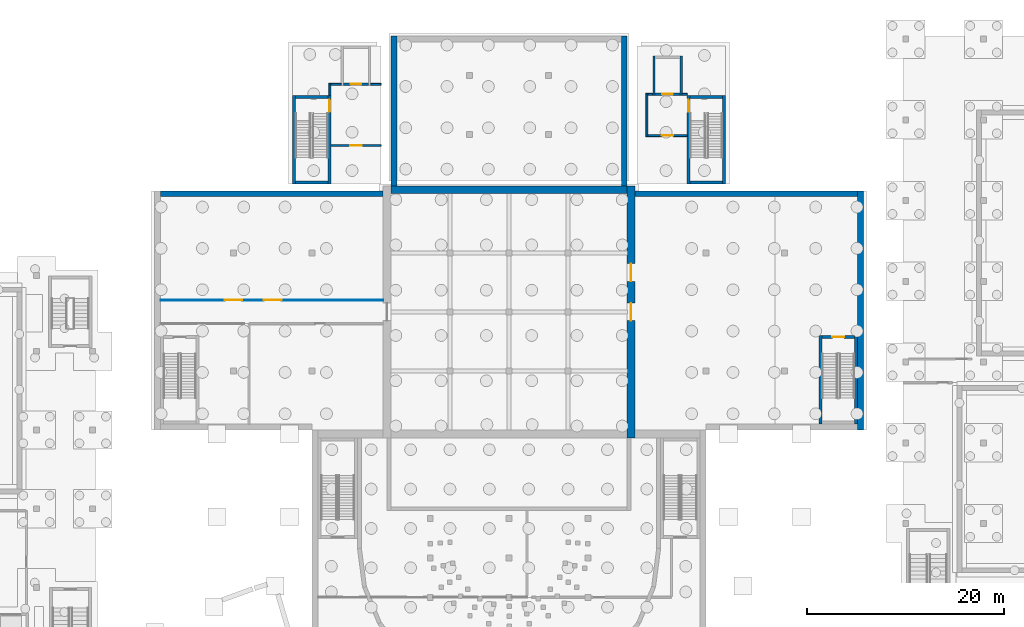
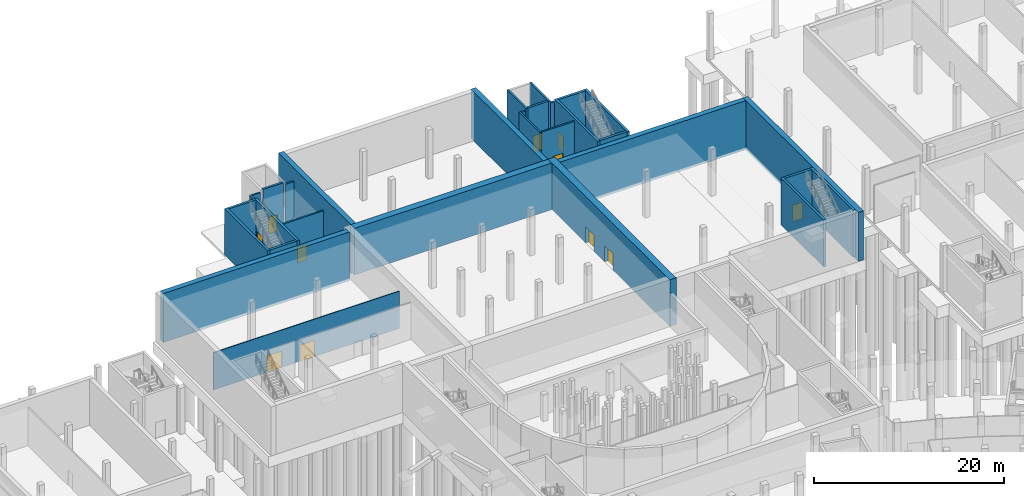
# One storey, part 27 of 66: 31 walls, 11 doors, 11 openings.
"""IFC4 building model written with IfcOpenShell, lengths in metres."""

import ifcopenshell
import ifcopenshell.guid

model = None  # the IFC model being written
_history = None  # IfcOwnerHistory: only IFC2X3 demands one
_inside = {}  # id of a spatial element -> (the spatial element, [elements in it])
_under = {}  # id of a project, library or spatial element -> (it, [spatial elements below it])
_declared = {}  # id of a project -> (the project, [libraries it declares])
_typed = {}  # id of a type object -> (the type object, [elements of that type])
_made_of = {}  # id of a material, layer set ... -> (it, [elements and type objects made of it])


def new_model(schema):
    """Start an empty IFC model of exactly this schema.

    Asked for "IFC4X3", IfcOpenShell would pick the latest addendum, in which some entities
    have other attributes; the version numbers below select the first issue.
    IFC2X3 requires an IfcOwnerHistory on every rooted entity: one is made here for all.
    """
    global model, _history
    if schema == "IFC4X3":
        model = ifcopenshell.file(schema_version=(4, 3, 0, 0))
    else:
        model = ifcopenshell.file(schema=schema)
    _inside.clear()
    _under.clear()
    _declared.clear()
    _typed.clear()
    _made_of.clear()
    _history = None
    if model.schema == "IFC2X3":
        org = make("IfcOrganization", Name="unknown")
        user = make(
            "IfcPersonAndOrganization",
            ThePerson=make("IfcPerson", FamilyName="unknown"),
            TheOrganization=org,
        )
        app = make(
            "IfcApplication",
            ApplicationDeveloper=org,
            Version="unknown",
            ApplicationFullName="unknown",
            ApplicationIdentifier="unknown",
        )
        _history = make(
            "IfcOwnerHistory",
            OwningUser=user,
            OwningApplication=app,
            ChangeAction="ADDED",
            CreationDate=0,
        )
    return model


def make(cls, **values):
    """One entity of the class cls with the attributes given. An attribute that is None is left unset."""
    return model.create_entity(
        cls, **{name: value for name, value in values.items() if value is not None}
    )


def rooted(cls, **values):
    """An entity with a GlobalId (a new one), such as an element, a storey or a relation."""
    return make(cls, GlobalId=ifcopenshell.guid.new(), OwnerHistory=_history, **values)


def si_unit(unit_type, name, prefix=None):
    """IfcSIUnit, for example si_unit("LENGTHUNIT", "METRE", prefix="MILLI")."""
    return make("IfcSIUnit", UnitType=unit_type, Prefix=prefix, Name=name)


def assignment(units):
    """IfcUnitAssignment: the units of a project."""
    return None if units is None else make("IfcUnitAssignment", Units=units)


def point(xyz):
    """IfcCartesianPoint."""
    return None if xyz is None else make("IfcCartesianPoint", Coordinates=xyz)


def direction(xyz):
    """IfcDirection."""
    return None if xyz is None else make("IfcDirection", DirectionRatios=xyz)


def frame(location, z_axis=None, x_axis=None):
    """IfcAxis2Placement3D, a coordinate frame: its origin and axes. An axis left out is left unset."""
    return make(
        "IfcAxis2Placement3D",
        Location=point(location),
        Axis=direction(z_axis),
        RefDirection=direction(x_axis),
    )


def frame_2d(location, x_axis=None):
    """IfcAxis2Placement2D, a coordinate frame in the plane: its origin and x axis."""
    return make(
        "IfcAxis2Placement2D", Location=point(location), RefDirection=direction(x_axis)
    )


def origin():
    """The frame at (0, 0, 0) with its axes left unset."""
    return frame((0.0, 0.0, 0.0))


def place(relative_to, where):
    """IfcLocalPlacement: puts the frame where relative to a parent placement (None: the world)."""
    return make(
        "IfcLocalPlacement", PlacementRelTo=relative_to, RelativePlacement=where
    )


def context(
    kind, dimensions, precision=None, world=None, true_north=None, identifier=None
):
    """IfcGeometricRepresentationContext, for example the 3D "Model" context."""
    return make(
        "IfcGeometricRepresentationContext",
        ContextIdentifier=identifier,
        ContextType=kind,
        CoordinateSpaceDimension=dimensions,
        Precision=precision,
        WorldCoordinateSystem=world,
        TrueNorth=true_north,
    )


def subcontext(parent, identifier, kind, view, scale=None):
    """IfcGeometricRepresentationSubContext, for example "Body" below "Model"."""
    return make(
        "IfcGeometricRepresentationSubContext",
        ContextIdentifier=identifier,
        ContextType=kind,
        ParentContext=parent,
        TargetScale=scale,
        TargetView=view,
    )


def project(units=None, contexts=None):
    """IfcProject with its units and contexts."""
    return rooted(
        "IfcProject",
        Name="project",
        RepresentationContexts=contexts,
        UnitsInContext=assignment(units),
    )


def spatial(cls, under=None, at=None, **own):
    """A site, building, storey or space (cls), placed at a placement, below another one or the project."""
    s = rooted(cls, ObjectPlacement=at, **own)
    if under is not None:
        _under.setdefault(under.id(), (under, []))[1].append(s)
    return s


def profile(cls, at=None, kind="AREA", **sizes):
    """A parametric profile (cls). Its sizes go by their IFC names, for example OverallWidth=200.0."""
    return make(cls, ProfileType=kind, Position=at, **sizes)


def rectangle(**sizes):
    """IfcRectangleProfileDef."""
    return profile("IfcRectangleProfileDef", **sizes)


def extrude(swept, where, along, depth):
    """IfcExtrudedAreaSolid: the profile swept, set in the frame where, extruded along a direction by depth."""
    return make(
        "IfcExtrudedAreaSolid",
        SweptArea=swept,
        Position=where,
        ExtrudedDirection=direction(along),
        Depth=depth,
    )


def shape(context_of_items, identifier, shape_type, items):
    """IfcShapeRepresentation: the items that make up one representation, for example the "Body"."""
    return make(
        "IfcShapeRepresentation",
        ContextOfItems=context_of_items,
        RepresentationIdentifier=identifier,
        RepresentationType=shape_type,
        Items=items,
    )


def material(Name=None, Category=None):
    """IfcMaterial."""
    return make("IfcMaterial", Name=Name, Category=Category)


def layer(
    of_material, thickness, ventilated=None, Name=None, Category=None, Priority=None
):
    """IfcMaterialLayer: one layer of a wall or slab, of a material (None: an air gap)."""
    return make(
        "IfcMaterialLayer",
        Material=of_material,
        LayerThickness=thickness,
        IsVentilated=ventilated,
        Name=Name,
        Category=Category,
        Priority=Priority,
    )


def layer_set(layers, Name=None):
    """IfcMaterialLayerSet."""
    return make("IfcMaterialLayerSet", MaterialLayers=layers, LayerSetName=Name)


def made_of(thing, what):
    """Note that an element or type object is made of a material, layer set ...; save() writes the relation."""
    if what is not None:
        _made_of.setdefault(what.id(), (what, []))[1].append(thing)
    return thing


def type_object(cls, material=None, **own):
    """A type object (cls), such as IfcWallType, which elements share."""
    return made_of(rooted(cls, **own), material)


def element(
    cls,
    number,
    at=None,
    inside=None,
    cuts=None,
    type_object=None,
    material=None,
    context=None,
    identifier="Body",
    shape_type=None,
    held_by="IfcProductDefinitionShape",
    body=None,
    shapes=None,
    **own,
):
    """One element of the class cls, such as IfcWall. Its Tag is "e" and its number.

    at: its placement. inside: the storey or other place that contains it. cuts: it is an
    opening in that element (IfcRelVoidsElement). A single representation is given by context,
    identifier, shape_type and body (its items); several are given by shapes. held_by: the class
    of the entity that holds the representations. save() writes the other relations.
    """
    e = rooted(cls, Tag="e%d" % number, ObjectPlacement=at, **own)
    if body is not None:
        shapes = [shape(context, identifier, shape_type, body)]
    if shapes is not None:
        e.Representation = make(held_by, Representations=shapes)
    if inside is not None:
        _inside.setdefault(inside.id(), (inside, []))[1].append(e)
    if cuts is not None:
        rooted(
            "IfcRelVoidsElement", RelatingBuildingElement=cuts, RelatedOpeningElement=e
        )
    if type_object is not None:
        _typed.setdefault(type_object.id(), (type_object, []))[1].append(e)
    return made_of(e, material)


def fill(opening, filler):
    """IfcRelFillsElement: the door or window that sits in an opening."""
    return rooted(
        "IfcRelFillsElement",
        RelatingOpeningElement=opening,
        RelatedBuildingElement=filler,
    )


def aggregate(whole, parts):
    """IfcRelAggregates: a whole, such as a stair, and the parts it consists of."""
    return rooted("IfcRelAggregates", RelatingObject=whole, RelatedObjects=parts)


def save(model, path):
    """Write the relations noted so far, then the file.

    IfcRelAggregates (storeys below a building ...), IfcRelContainedInSpatialStructure (elements
    in a storey), IfcRelDefinesByType, IfcRelAssociatesMaterial and IfcRelDeclares: one each for
    every whole, place, type object, material and project.
    """
    for whole, parts in _under.values():
        aggregate(whole, parts)
    for where, things in _inside.values():
        rooted(
            "IfcRelContainedInSpatialStructure",
            RelatedElements=things,
            RelatingStructure=where,
        )
    for kind, things in _typed.values():
        rooted("IfcRelDefinesByType", RelatedObjects=things, RelatingType=kind)
    for what, things in _made_of.values():
        rooted("IfcRelAssociatesMaterial", RelatedObjects=things, RelatingMaterial=what)
    for by, libraries in _declared.values():
        rooted("IfcRelDeclares", RelatingContext=by, RelatedDefinitions=libraries)
    model.write(path)


model = new_model("IFC4")

# Units and contexts
model_context = context("Model", 3, precision=1e-05, world=origin(), true_north=direction((0.0, 1.0)))
body_context = subcontext(model_context, "Body", "Model", "MODEL_VIEW")
ifc_project = project(units=[si_unit("LENGTHUNIT", "METRE"), si_unit("AREAUNIT", "SQUARE_METRE"), si_unit("VOLUMEUNIT", "CUBIC_METRE"), si_unit("PLANEANGLEUNIT", "RADIAN"), si_unit("MASSUNIT", "GRAM", prefix="KILO")], contexts=[model_context])

# Site, building, storey
site_placement = place(None, origin())
site = spatial("IfcSite", under=ifc_project, at=site_placement, CompositionType="ELEMENT")
building_placement = place(site_placement, origin())
building = spatial("IfcBuilding", under=site, at=building_placement, Name="Lunette Opera House", CompositionType="ELEMENT")
storey_placement = place(building_placement, frame((0.0, 0.0, -6.0)))
storey = spatial("IfcBuildingStorey", under=building, at=storey_placement, Name="B1", CompositionType="ELEMENT", Elevation=-6.0)

# Walls
ifc_material_1 = material(Name="Concrete C35/45", Category="concrete")
ifc_layer_1 = layer(ifc_material_1, 0.199951171875)
ifc_layer_set_1 = layer_set([ifc_layer_1], Name="Concrete C35/45")
wall_type_1 = type_object("IfcWallType", Name="LOBBY WALL 200", PredefinedType="PARTITIONING", material=ifc_layer_set_1)
wall_1_placement = place(storey_placement, frame((114.080078125, 130.10009765625, 0.0), z_axis=(0.0, 0.0, 1.0), x_axis=(-1.0, 0.0, 0.0)))
element("IfcWall", 1, at=wall_1_placement, inside=storey, type_object=wall_type_1, Name="FL3 lobby wall 2a", PredefinedType="PARTITIONING", context=body_context, shape_type="SweptSolid", body=[
    extrude(rectangle(XDim=0.489990234375, YDim=0.199951171875, at=frame_2d((0.2451171875, 0.0))), origin(), (0.0, 0.0, 1.0), 5.699951171875),
])
wall_2_placement = place(storey_placement, frame((110.580078125, 130.10009765625, 0.0), z_axis=(0.0, 0.0, 1.0), x_axis=(-1.0, 0.0, 0.0)))
element("IfcWall", 2, at=wall_2_placement, inside=storey, type_object=wall_type_1, Name="FL3 lobby wall 2b", PredefinedType="PARTITIONING", context=body_context, shape_type="SweptSolid", body=[
    extrude(rectangle(XDim=0.47998046875, YDim=0.199951171875, at=frame_2d((0.239990234375, 0.0))), origin(), (0.0, 0.0, 1.0), 5.699951171875),
])
wall_3_placement = place(storey_placement, frame((110.0, 130.199951171875, 0.0), z_axis=(0.0, 0.0, 1.0), x_axis=(0.0, -1.0, 0.0)))
element("IfcWall", 3, at=wall_3_placement, inside=storey, type_object=wall_type_1, Name="FL3 lobby wall 3a", PredefinedType="PARTITIONING", context=body_context, shape_type="SweptSolid", body=[
    extrude(rectangle(XDim=4.39990234375, YDim=0.199951171875, at=frame_2d((2.199951171875, 0.0))), origin(), (0.0, 0.0, 1.0), 5.699951171875),
])

# Wall, opening, door
wall_4_placement = place(storey_placement, frame((110.10009765625, 125.89990234375, 0.0), z_axis=(0.0, 0.0, 1.0), x_axis=(1.0, 0.0, 0.0)))
wall_4 = element("IfcWall", 4, at=wall_4_placement, inside=storey, type_object=wall_type_1, Name="FL3 lobby wall 4a", PredefinedType="PARTITIONING", context=body_context, shape_type="SweptSolid", body=[
    extrude(rectangle(XDim=3.97998046875, YDim=0.199951171875, at=frame_2d((1.989990234375, 0.0))), origin(), (0.0, 0.0, 1.0), 5.699951171875),
])
opening_1_placement = place(wall_4_placement, frame((1.389892578125, 0.0, 0.0)))
opening_1 = element("IfcOpeningElement", 5, at=opening_1_placement, cuts=wall_4, Name="Opening ST-D7024", PredefinedType="OPENING", context=body_context, shape_type="SweptSolid", body=[
    extrude(rectangle(XDim=1.199951171875, YDim=2.10009765625, at=frame_2d((0.60009765625, 1.050048828125))), frame((0.0, 0.112060546875, 0.0), z_axis=(0.0, -1.0, 0.0), x_axis=(1.0, 0.0, 0.0)), (0.0, 0.0, 1.0), 0.223876953125),
])
ifc_material_2 = material(Name="Steel", Category="steel")
door_type_1 = type_object("IfcDoorType", Name="FIRE DOOR 1200 X 2100", OperationType="SINGLE_SWING_LEFT", PredefinedType="DOOR", material=ifc_material_2)
door_1_placement = place(opening_1_placement, origin())
door_1 = element("IfcDoor", 6, at=door_1_placement, inside=storey, type_object=door_type_1, Name="FL3 lobby door", OperationType="SINGLE_SWING_LEFT", OverallHeight=2.10009765625, OverallWidth=1.199951171875, PredefinedType="DOOR", context=body_context, shape_type="SweptSolid", body=[
    extrude(rectangle(XDim=1.199951171875, YDim=2.10009765625, at=frame_2d((0.60009765625, 1.050048828125))), frame((0.0, 0.02490234375, 0.0), z_axis=(0.0, -1.0, 0.0), x_axis=(1.0, 0.0, 0.0)), (0.0, 0.0, 1.0), 0.050048828125),
])
fill(opening_1, door_1)

# Walls
for number, where, z_axis, x_axis, name in (
    (7, (83.0, 131.10009765625, 0.0), (0.0, 0.0, 1.0), (-1.0, 0.0, 0.0), "LL-SW lobby wall 2a"),
    (8, (78.929931640625, 131.10009765625, 0.0), (0.0, 0.0, 1.0), (-1.0, 0.0, 0.0), "LL-SW lobby wall 2b"),
):
    element("IfcWall", number, at=place(storey_placement, frame(where, z_axis=z_axis, x_axis=x_axis)), inside=storey, type_object=wall_type_1, Name=name, PredefinedType="PARTITIONING", context=body_context, shape_type="SweptSolid", body=[
        extrude(rectangle(XDim=1.030029296875, YDim=0.199951171875, at=frame_2d((0.51513671875, 0.0))), origin(), (0.0, 0.0, 1.0), 5.699951171875),
    ])
wall_5_placement = place(storey_placement, frame((77.800048828125, 131.199951171875, 0.0), z_axis=(0.0, 0.0, 1.0), x_axis=(0.0, -1.0, 0.0)))
element("IfcWall", 9, at=wall_5_placement, inside=storey, type_object=wall_type_1, Name="LL-SW lobby wall 3a", PredefinedType="PARTITIONING", context=body_context, shape_type="SweptSolid", body=[
    extrude(rectangle(XDim=1.2099609375, YDim=0.199951171875, at=frame_2d((0.60498046875, 0.0))), origin(), (0.0, 0.0, 1.0), 5.699951171875),
])

# Wall, opening, door
wall_6_placement = place(storey_placement, frame((77.919921875, 124.89990234375, 0.0), z_axis=(0.0, 0.0, 1.0), x_axis=(1.0, 0.0, 0.0)))
wall_6 = element("IfcWall", 10, at=wall_6_placement, inside=storey, type_object=wall_type_1, Name="LL-SW lobby wall 4a", PredefinedType="PARTITIONING", context=body_context, shape_type="SweptSolid", body=[
    extrude(rectangle(XDim=5.080078125, YDim=0.199951171875, at=frame_2d((2.5400390625, 0.0))), origin(), (0.0, 0.0, 1.0), 5.699951171875),
])
opening_2_placement = place(wall_6_placement, frame((1.93994140625, 0.0, 0.0)))
opening_2 = element("IfcOpeningElement", 11, at=opening_2_placement, cuts=wall_6, Name="Opening ST-D7033", PredefinedType="OPENING", context=body_context, shape_type="SweptSolid", body=[
    extrude(rectangle(XDim=1.199951171875, YDim=2.10009765625, at=frame_2d((0.60009765625, 1.050048828125))), frame((0.0, 0.112060546875, 0.0), z_axis=(0.0, -1.0, 0.0), x_axis=(1.0, 0.0, 0.0)), (0.0, 0.0, 1.0), 0.223876953125),
])
door_2_placement = place(opening_2_placement, origin())
door_2 = element("IfcDoor", 12, at=door_2_placement, inside=storey, type_object=door_type_1, Name="LL-SW lobby door", OperationType="SINGLE_SWING_LEFT", OverallHeight=2.10009765625, OverallWidth=1.199951171875, PredefinedType="DOOR", context=body_context, shape_type="SweptSolid", body=[
    extrude(rectangle(XDim=1.199951171875, YDim=2.10009765625, at=frame_2d((0.60009765625, 1.050048828125))), frame((0.0, 0.02490234375, 0.0), z_axis=(0.0, -1.0, 0.0), x_axis=(1.0, 0.0, 0.0)), (0.0, 0.0, 1.0), 0.050048828125),
])
fill(opening_2, door_2)

# Walls
ifc_material_3 = material(Name="Concrete C35/45", Category="concrete")
ifc_layer_2 = layer(ifc_material_3, 0.25)
ifc_layer_set_2 = layer_set([ifc_layer_2], Name="Concrete C35/45")
wall_type_2 = type_object("IfcWallType", Name="RC LIFT SHAFT WALL 250", PredefinedType="SOLIDWALL", material=ifc_layer_set_2)
for number, where, z_axis, x_axis, name in (
    (13, (113.47509765625, 130.0, 0.0), (0.0, 0.0, 1.0), (0.0, 1.0, 0.0), "FL3 shaft wall 1"),
    (14, (110.72509765625, 134.0, 0.0), (0.0, 0.0, 1.0), (0.0, -1.0, 0.0), "FL3 shaft wall 3"),
):
    element("IfcWall", number, at=place(storey_placement, frame(where, z_axis=z_axis, x_axis=x_axis)), inside=storey, type_object=wall_type_2, Name=name, PredefinedType="SOLIDWALL", context=body_context, shape_type="SweptSolid", body=[
        extrude(rectangle(XDim=4.0, YDim=0.25, at=frame_2d((2.0, 0.0))), origin(), (0.0, 0.0, 1.0), 6.0),
    ])

# Wall, opening, door
wall_7_placement = place(storey_placement, frame((110.85009765625, 130.125, 0.0), z_axis=(0.0, 0.0, 1.0), x_axis=(1.0, 0.0, 0.0)))
wall_7 = element("IfcWall", 15, at=wall_7_placement, inside=storey, type_object=wall_type_2, Name="FL3 shaft wall 4", PredefinedType="SOLIDWALL", context=body_context, shape_type="SweptSolid", body=[
    extrude(rectangle(XDim=2.5, YDim=0.25, at=frame_2d((1.25, 0.0))), origin(), (0.0, 0.0, 1.0), 6.0),
])
opening_3_placement = place(wall_7_placement, frame((0.699951171875, 0.0, 0.0)))
opening_3 = element("IfcOpeningElement", 16, at=opening_3_placement, cuts=wall_7, Name="Opening ST-LD002", PredefinedType="OPENING", context=body_context, shape_type="SweptSolid", body=[
    extrude(rectangle(XDim=1.10009765625, YDim=2.10009765625, at=frame_2d((0.550048828125, 1.050048828125))), frame((0.0, 0.136962890625, 0.0), z_axis=(0.0, -1.0, 0.0), x_axis=(1.0, 0.0, 0.0)), (0.0, 0.0, 1.0), 0.27392578125),
])
ifc_material_4 = material(Name="Stainless steel", Category="steel")
door_type_2 = type_object("IfcDoorType", Name="LIFT LANDING DOOR 1100 X 2100", OperationType="DOUBLE_DOOR_SLIDING", PredefinedType="DOOR", material=ifc_material_4)
door_3_placement = place(opening_3_placement, origin())
door_3 = element("IfcDoor", 17, at=door_3_placement, inside=storey, type_object=door_type_2, Name="FL3 lift landing door", OperationType="DOUBLE_DOOR_SLIDING", OverallHeight=2.10009765625, OverallWidth=1.10009765625, PredefinedType="DOOR", context=body_context, shape_type="SweptSolid", body=[
    extrude(rectangle(XDim=1.10009765625, YDim=2.10009765625, at=frame_2d((0.550048828125, 1.050048828125))), frame((0.0, 0.02490234375, 0.0), z_axis=(0.0, -1.0, 0.0), x_axis=(1.0, 0.0, 0.0)), (0.0, 0.0, 1.0), 0.050048828125),
])
fill(opening_3, door_3)

wall_8_placement = place(storey_placement, frame((79.199951171875, 131.125, 0.0), z_axis=(0.0, 0.0, 1.0), x_axis=(1.0, 0.0, 0.0)))
wall_8 = element("IfcWall", 18, at=wall_8_placement, inside=storey, type_object=wall_type_2, Name="LF7 shaft wall 4", PredefinedType="SOLIDWALL", context=body_context, shape_type="SweptSolid", body=[
    extrude(rectangle(XDim=2.5, YDim=0.25, at=frame_2d((1.25, 0.0))), origin(), (0.0, 0.0, 1.0), 6.0),
])
opening_4_placement = place(wall_8_placement, frame((0.699951171875, 0.0, 0.0)))
opening_4 = element("IfcOpeningElement", 19, at=opening_4_placement, cuts=wall_8, Name="Opening ST-LD011", PredefinedType="OPENING", context=body_context, shape_type="SweptSolid", body=[
    extrude(rectangle(XDim=1.10009765625, YDim=2.10009765625, at=frame_2d((0.550048828125, 1.050048828125))), frame((0.0, 0.136962890625, 0.0), z_axis=(0.0, -1.0, 0.0), x_axis=(1.0, 0.0, 0.0)), (0.0, 0.0, 1.0), 0.27392578125),
])
door_4_placement = place(opening_4_placement, origin())
door_4 = element("IfcDoor", 20, at=door_4_placement, inside=storey, type_object=door_type_2, Name="LF7 lift landing door", OperationType="DOUBLE_DOOR_SLIDING", OverallHeight=2.10009765625, OverallWidth=1.10009765625, PredefinedType="DOOR", context=body_context, shape_type="SweptSolid", body=[
    extrude(rectangle(XDim=1.10009765625, YDim=2.10009765625, at=frame_2d((0.550048828125, 1.050048828125))), frame((0.0, 0.02490234375, 0.0), z_axis=(0.0, -1.0, 0.0), x_axis=(1.0, 0.0, 0.0)), (0.0, 0.0, 1.0), 0.050048828125),
])
fill(opening_4, door_4)

ifc_material_5 = material(Name="Concrete C35/45", Category="concrete")
ifc_layer_3 = layer(ifc_material_5, 0.300048828125)
ifc_layer_set_3 = layer_set([ifc_layer_3], Name="Concrete C35/45")
wall_type_3 = type_object("IfcWallType", Name="RC STAIR ENCLOSURE WALL 300", PredefinedType="SOLIDWALL", material=ifc_layer_set_3)
wall_9_placement = place(storey_placement, frame((77.75, 121.0, 0.0), z_axis=(0.0, 0.0, 1.0), x_axis=(0.0, 1.0, 0.0)))
wall_9 = element("IfcWall", 21, at=wall_9_placement, inside=storey, type_object=wall_type_3, Name="ST11 enclosure wall 1", PredefinedType="SOLIDWALL", context=body_context, shape_type="SweptSolid", body=[
    extrude(rectangle(XDim=9.0, YDim=0.300048828125, at=frame_2d((4.5, 0.0))), origin(), (0.0, 0.0, 1.0), 6.0),
])
opening_5_placement = place(wall_9_placement, frame((7.324951171875, 0.0, 0.0)))
opening_5 = element("IfcOpeningElement", 22, at=opening_5_placement, cuts=wall_9, Name="Opening ST-D7002", PredefinedType="OPENING", context=body_context, shape_type="SweptSolid", body=[
    extrude(rectangle(XDim=1.199951171875, YDim=2.10009765625, at=frame_2d((0.60009765625, 1.050048828125))), frame((0.0, 0.162109375, 0.0), z_axis=(0.0, -1.0, 0.0), x_axis=(1.0, 0.0, 0.0)), (0.0, 0.0, 1.0), 0.323974609375),
])
door_5_placement = place(opening_5_placement, origin())
door_5 = element("IfcDoor", 23, at=door_5_placement, inside=storey, type_object=door_type_1, Name="ST11 stair door", OperationType="SINGLE_SWING_LEFT", OverallHeight=2.10009765625, OverallWidth=1.199951171875, PredefinedType="DOOR", context=body_context, shape_type="SweptSolid", body=[
    extrude(rectangle(XDim=1.199951171875, YDim=2.10009765625, at=frame_2d((0.60009765625, 1.050048828125))), frame((0.0, 0.02490234375, 0.0), z_axis=(0.0, -1.0, 0.0), x_axis=(1.0, 0.0, 0.0)), (0.0, 0.0, 1.0), 0.050048828125),
])
fill(opening_5, door_5)

# Walls
wall_10_placement = place(storey_placement, frame((77.60009765625, 129.85009765625, 0.0), z_axis=(0.0, 0.0, 1.0), x_axis=(-1.0, 0.0, 0.0)))
element("IfcWall", 24, at=wall_10_placement, inside=storey, type_object=wall_type_3, Name="ST11 enclosure wall 2", PredefinedType="SOLIDWALL", context=body_context, shape_type="SweptSolid", body=[
    extrude(rectangle(XDim=3.300048828125, YDim=0.300048828125, at=frame_2d((1.64990234375, 0.0))), origin(), (0.0, 0.0, 1.0), 6.0),
])
wall_11_placement = place(storey_placement, frame((74.14990234375, 130.0, 0.0), z_axis=(0.0, 0.0, 1.0), x_axis=(0.0, -1.0, 0.0)))
element("IfcWall", 25, at=wall_11_placement, inside=storey, type_object=wall_type_3, Name="ST11 enclosure wall 3", PredefinedType="SOLIDWALL", context=body_context, shape_type="SweptSolid", body=[
    extrude(rectangle(XDim=9.0, YDim=0.300048828125, at=frame_2d((4.5, 0.0))), origin(), (0.0, 0.0, 1.0), 6.0),
])
wall_12_placement = place(storey_placement, frame((74.300048828125, 121.14990234375, 0.0), z_axis=(0.0, 0.0, 1.0), x_axis=(1.0, 0.0, 0.0)))
element("IfcWall", 26, at=wall_12_placement, inside=storey, type_object=wall_type_3, Name="ST11 enclosure wall 4", PredefinedType="SOLIDWALL", context=body_context, shape_type="SweptSolid", body=[
    extrude(rectangle(XDim=3.300048828125, YDim=0.300048828125, at=frame_2d((1.64990234375, 0.0))), origin(), (0.0, 0.0, 1.0), 6.0),
])
wall_13_placement = place(storey_placement, frame((117.85009765625, 121.0, 0.0), z_axis=(0.0, 0.0, 1.0), x_axis=(0.0, 1.0, 0.0)))
element("IfcWall", 27, at=wall_13_placement, inside=storey, type_object=wall_type_3, Name="ST12 enclosure wall 1", PredefinedType="SOLIDWALL", context=body_context, shape_type="SweptSolid", body=[
    extrude(rectangle(XDim=9.0, YDim=0.300048828125, at=frame_2d((4.5, 0.0))), origin(), (0.0, 0.0, 1.0), 6.0),
])
wall_14_placement = place(storey_placement, frame((117.699951171875, 129.85009765625, 0.0), z_axis=(0.0, 0.0, 1.0), x_axis=(-1.0, 0.0, 0.0)))
element("IfcWall", 28, at=wall_14_placement, inside=storey, type_object=wall_type_3, Name="ST12 enclosure wall 2", PredefinedType="SOLIDWALL", context=body_context, shape_type="SweptSolid", body=[
    extrude(rectangle(XDim=3.300048828125, YDim=0.300048828125, at=frame_2d((1.64990234375, 0.0))), origin(), (0.0, 0.0, 1.0), 6.0),
])

# Wall, opening, door
wall_15_placement = place(storey_placement, frame((114.25, 130.0, 0.0), z_axis=(0.0, 0.0, 1.0), x_axis=(0.0, -1.0, 0.0)))
wall_15 = element("IfcWall", 29, at=wall_15_placement, inside=storey, type_object=wall_type_3, Name="ST12 enclosure wall 3", PredefinedType="SOLIDWALL", context=body_context, shape_type="SweptSolid", body=[
    extrude(rectangle(XDim=9.0, YDim=0.300048828125, at=frame_2d((4.5, 0.0))), origin(), (0.0, 0.0, 1.0), 6.0),
])
opening_6_placement = place(wall_15_placement, frame((0.47509765625, 0.0, 0.0)))
opening_6 = element("IfcOpeningElement", 30, at=opening_6_placement, cuts=wall_15, Name="Opening ST-D7011", PredefinedType="OPENING", context=body_context, shape_type="SweptSolid", body=[
    extrude(rectangle(XDim=1.199951171875, YDim=2.10009765625, at=frame_2d((0.60009765625, 1.050048828125))), frame((0.0, 0.162109375, 0.0), z_axis=(0.0, -1.0, 0.0), x_axis=(1.0, 0.0, 0.0)), (0.0, 0.0, 1.0), 0.323974609375),
])
door_6_placement = place(opening_6_placement, origin())
door_6 = element("IfcDoor", 31, at=door_6_placement, inside=storey, type_object=door_type_1, Name="ST12 stair door", OperationType="SINGLE_SWING_LEFT", OverallHeight=2.10009765625, OverallWidth=1.199951171875, PredefinedType="DOOR", context=body_context, shape_type="SweptSolid", body=[
    extrude(rectangle(XDim=1.199951171875, YDim=2.10009765625, at=frame_2d((0.60009765625, 1.050048828125))), frame((0.0, 0.02490234375, 0.0), z_axis=(0.0, -1.0, 0.0), x_axis=(1.0, 0.0, 0.0)), (0.0, 0.0, 1.0), 0.050048828125),
])
fill(opening_6, door_6)

# Walls
wall_16_placement = place(storey_placement, frame((114.39990234375, 121.14990234375, 0.0), z_axis=(0.0, 0.0, 1.0), x_axis=(1.0, 0.0, 0.0)))
element("IfcWall", 32, at=wall_16_placement, inside=storey, type_object=wall_type_3, Name="ST12 enclosure wall 4", PredefinedType="SOLIDWALL", context=body_context, shape_type="SweptSolid", body=[
    extrude(rectangle(XDim=3.300048828125, YDim=0.300048828125, at=frame_2d((1.64990234375, 0.0))), origin(), (0.0, 0.0, 1.0), 6.0),
])
wall_17_placement = place(storey_placement, frame((131.25, 96.60009765625, 0.0), z_axis=(0.0, 0.0, 1.0), x_axis=(0.0, 1.0, 0.0)))
element("IfcWall", 33, at=wall_17_placement, inside=storey, type_object=wall_type_3, Name="ST14 enclosure wall 1", PredefinedType="SOLIDWALL", context=body_context, shape_type="SweptSolid", body=[
    extrude(rectangle(XDim=9.0, YDim=0.300048828125, at=frame_2d((4.5, 0.0))), origin(), (0.0, 0.0, 1.0), 6.0),
])

# Wall, opening, door
wall_18_placement = place(storey_placement, frame((131.10009765625, 105.449951171875, 0.0), z_axis=(0.0, 0.0, 1.0), x_axis=(-1.0, 0.0, 0.0)))
wall_18 = element("IfcWall", 34, at=wall_18_placement, inside=storey, type_object=wall_type_3, Name="ST14 enclosure wall 2", PredefinedType="SOLIDWALL", context=body_context, shape_type="SweptSolid", body=[
    extrude(rectangle(XDim=3.300048828125, YDim=0.300048828125, at=frame_2d((1.64990234375, 0.0))), origin(), (0.0, 0.0, 1.0), 6.0),
])
opening_7_placement = place(wall_18_placement, frame((1.050048828125, 0.0, 0.0)))
opening_7 = element("IfcOpeningElement", 35, at=opening_7_placement, cuts=wall_18, Name="Opening ST-D7021", PredefinedType="OPENING", context=body_context, shape_type="SweptSolid", body=[
    extrude(rectangle(XDim=1.199951171875, YDim=2.10009765625, at=frame_2d((0.60009765625, 1.050048828125))), frame((0.0, 0.162109375, 0.0), z_axis=(0.0, -1.0, 0.0), x_axis=(1.0, 0.0, 0.0)), (0.0, 0.0, 1.0), 0.323974609375),
])
door_7_placement = place(opening_7_placement, origin())
door_7 = element("IfcDoor", 36, at=door_7_placement, inside=storey, type_object=door_type_1, Name="ST14 stair door", OperationType="SINGLE_SWING_LEFT", OverallHeight=2.10009765625, OverallWidth=1.199951171875, PredefinedType="DOOR", context=body_context, shape_type="SweptSolid", body=[
    extrude(rectangle(XDim=1.199951171875, YDim=2.10009765625, at=frame_2d((0.60009765625, 1.050048828125))), frame((0.0, 0.02490234375, 0.0), z_axis=(0.0, -1.0, 0.0), x_axis=(1.0, 0.0, 0.0)), (0.0, 0.0, 1.0), 0.050048828125),
])
fill(opening_7, door_7)

# Walls
wall_19_placement = place(storey_placement, frame((127.64990234375, 105.60009765625, 0.0), z_axis=(0.0, 0.0, 1.0), x_axis=(0.0, -1.0, 0.0)))
element("IfcWall", 37, at=wall_19_placement, inside=storey, type_object=wall_type_3, Name="ST14 enclosure wall 3", PredefinedType="SOLIDWALL", context=body_context, shape_type="SweptSolid", body=[
    extrude(rectangle(XDim=9.0, YDim=0.300048828125, at=frame_2d((4.5, 0.0))), origin(), (0.0, 0.0, 1.0), 6.0),
])
ifc_material_6 = material(Name="Concrete C35/45", Category="concrete")
ifc_layer_4 = layer(ifc_material_6, 0.60009765625)
ifc_layer_set_4 = layer_set([ifc_layer_4], Name="Concrete C35/45")
wall_type_4 = type_object("IfcWallType", Name="RC WALL 600", PredefinedType="SHEAR", material=ifc_layer_set_4)
wall_20_placement = place(storey_placement, frame((60.60009765625, 120.0, -0.300048828125), z_axis=(0.0, 0.0, 1.0), x_axis=(1.0, 0.0, 0.0)))
element("IfcWall", 38, at=wall_20_placement, inside=storey, type_object=wall_type_4, Name="wall-ST-B1-SW-N-1", PredefinedType="SHEAR", context=body_context, shape_type="SweptSolid", body=[
    extrude(rectangle(XDim=22.599853515625, YDim=0.60009765625, at=frame_2d((11.2998046875, 0.0))), origin(), (0.0, 0.0, 1.0), 6.300048828125),
])
wall_21_placement = place(storey_placement, frame((131.699951171875, 96.0, -0.300048828125), z_axis=(0.0, 0.0, 1.0), x_axis=(0.0, 1.0, 0.0)))
element("IfcWall", 39, at=wall_21_placement, inside=storey, type_object=wall_type_4, Name="wall-ST-B1-SE-E-1", PredefinedType="SHEAR", context=body_context, shape_type="SweptSolid", body=[
    extrude(rectangle(XDim=24.300048828125, YDim=0.60009765625, at=frame_2d((12.14990234375, 0.0))), origin(), (0.0, 0.0, 1.0), 6.300048828125),
])
wall_22_placement = place(storey_placement, frame((108.800048828125, 120.0, -0.300048828125), z_axis=(0.0, 0.0, 1.0), x_axis=(1.0, 0.0, 0.0)))
element("IfcWall", 40, at=wall_22_placement, inside=storey, type_object=wall_type_4, Name="wall-ST-B1-SE-N-1", PredefinedType="SHEAR", context=body_context, shape_type="SweptSolid", body=[
    extrude(rectangle(XDim=22.599853515625, YDim=0.60009765625, at=frame_2d((11.2998046875, 0.0))), origin(), (0.0, 0.0, 1.0), 6.300048828125),
])
for number, where, z_axis, x_axis, name in (
    (41, (84.300048828125, 120.800048828125, -0.300048828125), (0.0, 0.0, 1.0), (0.0, 1.0, 0.0), "wall-ST-B1-SR-W-1"),
    (42, (107.699951171875, 120.800048828125, -0.300048828125), (0.0, 0.0, 1.0), (0.0, 1.0, 0.0), "wall-ST-B1-SR-E-1"),
):
    element("IfcWall", number, at=place(storey_placement, frame(where, z_axis=z_axis, x_axis=x_axis)), inside=storey, type_object=wall_type_4, Name=name, PredefinedType="SHEAR", context=body_context, shape_type="SweptSolid", body=[
        extrude(rectangle(XDim=15.199951171875, YDim=0.60009765625, at=frame_2d((7.60009765625, 0.0))), origin(), (0.0, 0.0, 1.0), 6.300048828125),
    ])

# Wall, openings, doors
ifc_material_7 = material(Name="Concrete C40/50", Category="concrete")
ifc_layer_5 = layer(ifc_material_7, 0.800048828125)
ifc_layer_set_5 = layer_set([ifc_layer_5], Name="Concrete C40/50")
wall_type_5 = type_object("IfcWallType", Name="RC WALL 800", PredefinedType="SHEAR", material=ifc_layer_set_5)
wall_23_placement = place(storey_placement, frame((108.39990234375, 95.199951171875, 0.0), z_axis=(0.0, 0.0, 1.0), x_axis=(0.0, 1.0, 0.0)))
wall_23 = element("IfcWall", 43, at=wall_23_placement, inside=storey, type_object=wall_type_5, Name="wall-ST-B1-WE-1", PredefinedType="SHEAR", context=body_context, shape_type="SweptSolid", body=[
    extrude(rectangle(XDim=25.60009765625, YDim=0.800048828125, at=frame_2d((12.800048828125, 0.0))), origin(), (0.0, 0.0, 1.0), 6.0),
])
opening_8_placement = place(wall_23_placement, frame((11.89990234375, 0.0, 0.0)))
opening_8 = element("IfcOpeningElement", 44, at=opening_8_placement, cuts=wall_23, Name="Opening ST-D3004", PredefinedType="OPENING", context=body_context, shape_type="SweptSolid", body=[
    extrude(rectangle(XDim=1.800048828125, YDim=2.10009765625, at=frame_2d((0.89990234375, 1.050048828125))), frame((0.0, 0.412109375, 0.0), z_axis=(0.0, -1.0, 0.0), x_axis=(1.0, 0.0, 0.0)), (0.0, 0.0, 1.0), 0.823974609375),
])
opening_9_placement = place(wall_23_placement, frame((15.89990234375, 0.0, 0.0)))
opening_9 = element("IfcOpeningElement", 45, at=opening_9_placement, cuts=wall_23, Name="Opening ST-D3005", PredefinedType="OPENING", context=body_context, shape_type="SweptSolid", body=[
    extrude(rectangle(XDim=1.800048828125, YDim=2.10009765625, at=frame_2d((0.89990234375, 1.050048828125))), frame((0.0, 0.412109375, 0.0), z_axis=(0.0, -1.0, 0.0), x_axis=(1.0, 0.0, 0.0)), (0.0, 0.0, 1.0), 0.823974609375),
])
ifc_material_8 = material(Name="Timber", Category="wood")
door_type_3 = type_object("IfcDoorType", Name="DOUBLE FLUSH DOOR 1800 X 2100", OperationType="DOUBLE_DOOR_SINGLE_SWING", PredefinedType="DOOR", material=ifc_material_8)
door_8_placement = place(opening_8_placement, origin())
door_8 = element("IfcDoor", 46, at=door_8_placement, inside=storey, type_object=door_type_3, Name="Side Stage East Trap Room door", OperationType="DOUBLE_DOOR_SINGLE_SWING", OverallHeight=2.10009765625, OverallWidth=1.800048828125, PredefinedType="DOOR", context=body_context, shape_type="SweptSolid", body=[
    extrude(rectangle(XDim=1.800048828125, YDim=2.10009765625, at=frame_2d((0.89990234375, 1.050048828125))), frame((0.0, 0.02490234375, 0.0), z_axis=(0.0, -1.0, 0.0), x_axis=(1.0, 0.0, 0.0)), (0.0, 0.0, 1.0), 0.050048828125),
])
fill(opening_8, door_8)
door_9_placement = place(opening_9_placement, origin())
door_9 = element("IfcDoor", 47, at=door_9_placement, inside=storey, type_object=door_type_3, Name="Side Stage East Trap Room door", OperationType="DOUBLE_DOOR_SINGLE_SWING", OverallHeight=2.10009765625, OverallWidth=1.800048828125, PredefinedType="DOOR", context=body_context, shape_type="SweptSolid", body=[
    extrude(rectangle(XDim=1.800048828125, YDim=2.10009765625, at=frame_2d((0.89990234375, 1.050048828125))), frame((0.0, 0.02490234375, 0.0), z_axis=(0.0, -1.0, 0.0), x_axis=(1.0, 0.0, 0.0)), (0.0, 0.0, 1.0), 0.050048828125),
])
fill(opening_9, door_9)

# Wall
wall_24_placement = place(storey_placement, frame((84.0, 120.39990234375, 0.0), z_axis=(0.0, 0.0, 1.0), x_axis=(1.0, 0.0, 0.0)))
element("IfcWall", 48, at=wall_24_placement, inside=storey, type_object=wall_type_5, Name="wall-ST-B1-WN-1", PredefinedType="SHEAR", context=body_context, shape_type="SweptSolid", body=[
    extrude(rectangle(XDim=24.0, YDim=0.800048828125, at=frame_2d((12.0, 0.0))), origin(), (0.0, 0.0, 1.0), 6.0),
])

# Wall, openings, doors
ifc_material_9 = material(Name="Gypsum board on steel studs", Category="steel")
ifc_layer_6 = layer(ifc_material_9, 0.10009765625)
ifc_layer_set_6 = layer_set([ifc_layer_6], Name="Gypsum board on steel studs")
wall_type_6 = type_object("IfcWallType", Name="STUD PARTITION 100", PredefinedType="PARTITIONING", material=ifc_layer_set_6)
wall_25_placement = place(storey_placement, frame((83.198974609375, 109.199951171875, 0.0), z_axis=(0.0, 0.0, 1.0), x_axis=(-1.0, 0.0, 0.0)))
wall_25 = element("IfcWall", 49, at=wall_25_placement, inside=storey, type_object=wall_type_6, Name="Partition Stage Service Corridor", PredefinedType="PARTITIONING", context=body_context, shape_type="SweptSolid", body=[
    extrude(rectangle(XDim=22.598876953125, YDim=0.10009765625, at=frame_2d((11.29931640625, 0.0))), origin(), (0.0, 0.0, 1.0), 4.800048828125),
])
opening_10_placement = place(wall_25_placement, frame((10.299072265625, 0.0, 0.0)))
opening_10 = element("IfcOpeningElement", 50, at=opening_10_placement, cuts=wall_25, Name="Opening ST-D3002", PredefinedType="OPENING", context=body_context, shape_type="SweptSolid", body=[
    extrude(rectangle(XDim=1.800048828125, YDim=2.10009765625, at=frame_2d((0.89990234375, 1.050048828125))), frame((0.0, 0.06201171875, 0.0), z_axis=(0.0, -1.0, 0.0), x_axis=(1.0, 0.0, 0.0)), (0.0, 0.0, 1.0), 0.1240234375),
])
opening_11_placement = place(wall_25_placement, frame((14.299072265625, 0.0, 0.0)))
opening_11 = element("IfcOpeningElement", 51, at=opening_11_placement, cuts=wall_25, Name="Opening ST-D3003", PredefinedType="OPENING", context=body_context, shape_type="SweptSolid", body=[
    extrude(rectangle(XDim=1.800048828125, YDim=2.10009765625, at=frame_2d((0.89990234375, 1.050048828125))), frame((0.0, 0.06201171875, 0.0), z_axis=(0.0, -1.0, 0.0), x_axis=(1.0, 0.0, 0.0)), (0.0, 0.0, 1.0), 0.1240234375),
])
door_10_placement = place(opening_10_placement, origin())
door_10 = element("IfcDoor", 52, at=door_10_placement, inside=storey, type_object=door_type_3, Name="Side Stage West Trap Room door", OperationType="DOUBLE_DOOR_SINGLE_SWING", OverallHeight=2.10009765625, OverallWidth=1.800048828125, PredefinedType="DOOR", context=body_context, shape_type="SweptSolid", body=[
    extrude(rectangle(XDim=1.800048828125, YDim=2.10009765625, at=frame_2d((0.89990234375, 1.050048828125))), frame((0.0, 0.02490234375, 0.0), z_axis=(0.0, -1.0, 0.0), x_axis=(1.0, 0.0, 0.0)), (0.0, 0.0, 1.0), 0.050048828125),
])
fill(opening_10, door_10)
door_11_placement = place(opening_11_placement, origin())
door_11 = element("IfcDoor", 53, at=door_11_placement, inside=storey, type_object=door_type_3, Name="Side Stage West Trap Room door", OperationType="DOUBLE_DOOR_SINGLE_SWING", OverallHeight=2.10009765625, OverallWidth=1.800048828125, PredefinedType="DOOR", context=body_context, shape_type="SweptSolid", body=[
    extrude(rectangle(XDim=1.800048828125, YDim=2.10009765625, at=frame_2d((0.89990234375, 1.050048828125))), frame((0.0, 0.02490234375, 0.0), z_axis=(0.0, -1.0, 0.0), x_axis=(1.0, 0.0, 0.0)), (0.0, 0.0, 1.0), 0.050048828125),
])
fill(opening_11, door_11)

save(model, "model.ifc")
